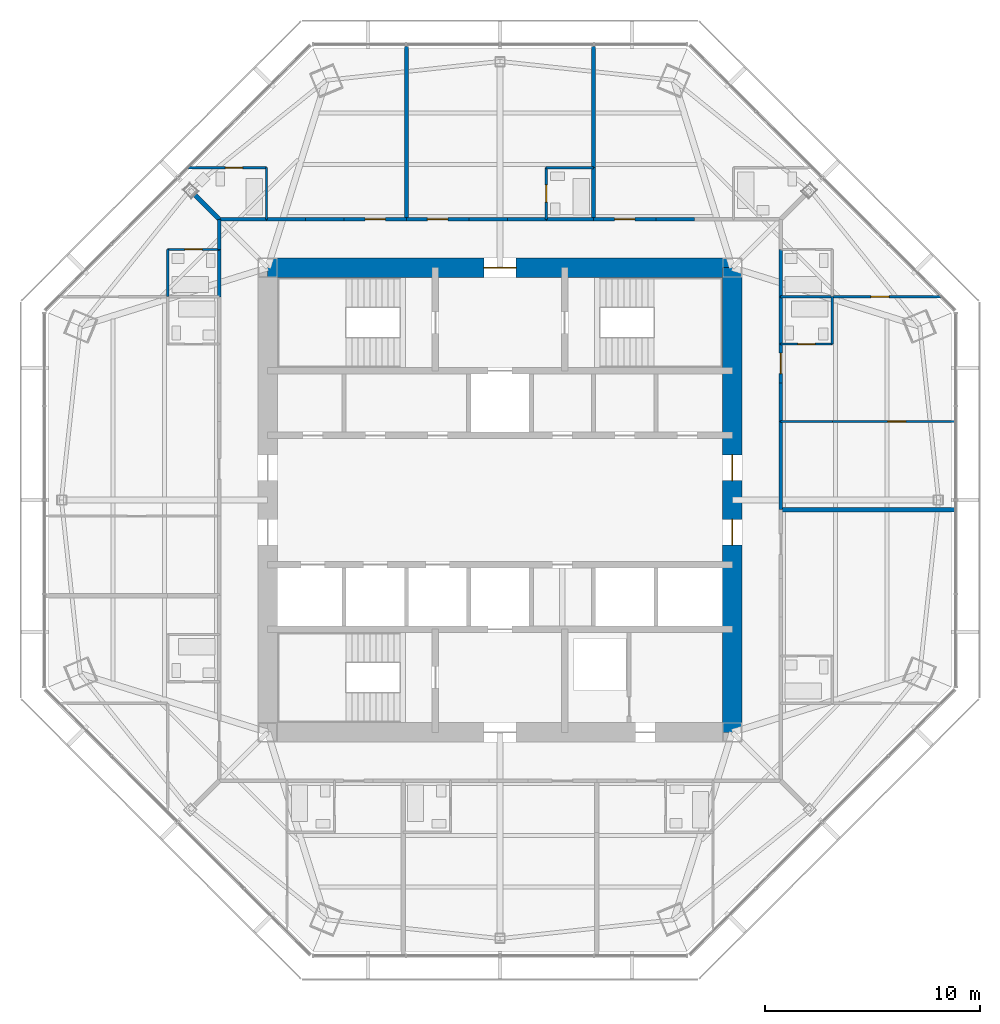
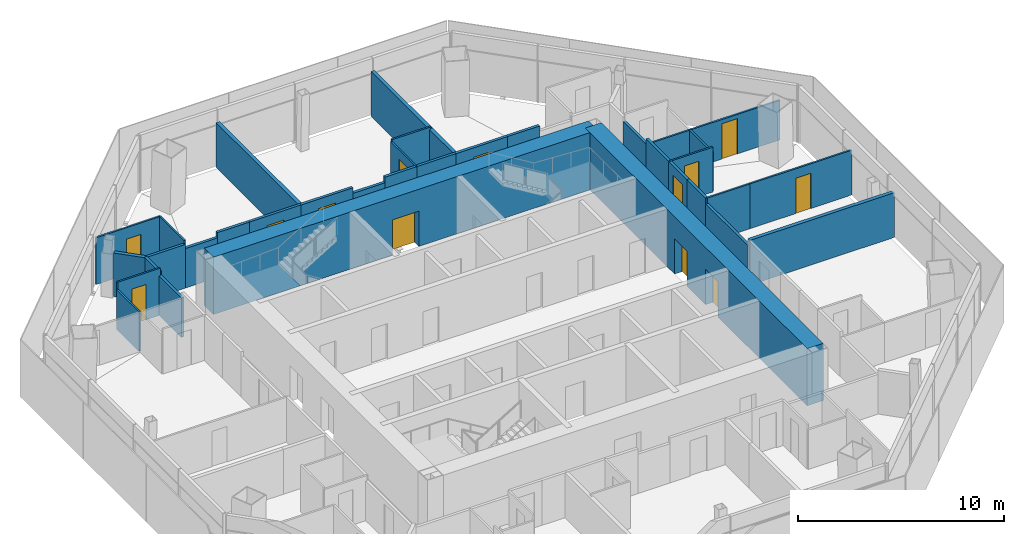
# One storey, part 11 of 14: 36 walls, 13 doors, 13 openings.
"""IFC4 building model written with IfcOpenShell, lengths in metres."""

from ifc_helpers import new_model, si_unit, direction, frame, frame_2d, origin, place, context, subcontext, project, spatial, rectangle, extrude, material, layer, layer_set, type_object, element, fill, save


model = new_model("IFC4")

# Units and contexts
model_context = context("Model", 3, precision=1e-05, world=origin(), true_north=direction((0.0, 1.0)))
body_context = subcontext(model_context, "Body", "Model", "MODEL_VIEW")
ifc_project = project(units=[si_unit("LENGTHUNIT", "METRE"), si_unit("AREAUNIT", "SQUARE_METRE"), si_unit("VOLUMEUNIT", "CUBIC_METRE"), si_unit("PLANEANGLEUNIT", "RADIAN"), si_unit("MASSUNIT", "GRAM", prefix="KILO")], contexts=[model_context])

# Site, building, storey
site_placement = place(None, origin())
site = spatial("IfcSite", under=ifc_project, at=site_placement, CompositionType="ELEMENT")
building_placement = place(site_placement, origin())
building = spatial("IfcBuilding", under=site, at=building_placement, Name="Mashrafa Tower", CompositionType="ELEMENT")
storey_placement = place(building_placement, frame((0.0, 0.0, 241.39990234375)))
storey = spatial("IfcBuildingStorey", under=building, at=storey_placement, Name="L57", CompositionType="ELEMENT", Elevation=241.39990234375)

# Walls
ifc_material_1 = material(Name="Gypsum board on steel studs", Category="steel")
ifc_layer_1 = layer(ifc_material_1, 0.199951171875)
ifc_layer_set_1 = layer_set([ifc_layer_1], Name="Acoustic partition 200 1 hr")
wall_type_1 = type_object("IfcWallType", Name="Acoustic partition 200 1 hr", PredefinedType="PARTITIONING", material=ifc_layer_set_1)
wall_1_placement = place(storey_placement, frame((21.16796875, -0.449951171875, 0.0), z_axis=(0.0, 0.0, 1.0), x_axis=(-1.0, 0.0, 0.0)))
element("IfcWall", 1, at=wall_1_placement, inside=storey, type_object=wall_type_1, Name="Acoustic wall L57-051", PredefinedType="PARTITIONING", context=body_context, shape_type="SweptSolid", body=[
    extrude(rectangle(XDim=8.117919921875, YDim=0.199951171875, at=frame_2d((4.05908203125, 0.0))), origin(), (0.0, 0.0, 1.0), 2.661865234375),
])
wall_2_placement = place(storey_placement, frame((4.35009765625, 15.450927734375, 0.0), z_axis=(0.0, 0.0, 1.0), x_axis=(0.0, -1.0, 0.0)))
element("IfcWall", 2, at=wall_2_placement, inside=storey, type_object=wall_type_1, Name="Acoustic wall L57-063", PredefinedType="PARTITIONING", context=body_context, shape_type="SweptSolid", body=[
    extrude(rectangle(XDim=2.40087890625, YDim=0.199951171875, at=frame_2d((1.200439453125, 0.0))), origin(), (0.0, 0.0, 1.0), 2.661865234375),
])
wall_3_placement = place(storey_placement, frame((4.35009765625, 21.0908203125, 0.0), z_axis=(0.0, 0.0, 1.0), x_axis=(0.0, -1.0, 0.0)))
element("IfcWall", 3, at=wall_3_placement, inside=storey, type_object=wall_type_1, Name="Acoustic wall L57-064", PredefinedType="PARTITIONING", context=body_context, shape_type="SweptSolid", body=[
    extrude(rectangle(XDim=5.641845703125, YDim=0.199951171875, at=frame_2d((2.82080078125, 0.0))), origin(), (0.0, 0.0, 1.0), 2.661865234375),
])
wall_4_placement = place(storey_placement, frame((-4.35009765625, 21.0908203125, 0.0), z_axis=(0.0, 0.0, 1.0), x_axis=(0.0, -1.0, 0.0)))
element("IfcWall", 4, at=wall_4_placement, inside=storey, type_object=wall_type_1, Name="Acoustic wall L57-067", PredefinedType="PARTITIONING", context=body_context, shape_type="SweptSolid", body=[
    extrude(rectangle(XDim=8.040771484375, YDim=0.199951171875, at=frame_2d((4.0205078125, 0.0))), origin(), (0.0, 0.0, 1.0), 2.661865234375),
])
wall_5_placement = place(storey_placement, frame((-14.17431640625, 14.17431640625, 0.0), z_axis=(0.0, 0.0, 1.0), x_axis=(0.707106781187, -0.707106781187, 0.0)))
element("IfcWall", 5, at=wall_5_placement, inside=storey, type_object=wall_type_1, Name="Acoustic wall L57-070", PredefinedType="PARTITIONING", context=body_context, shape_type="SweptSolid", body=[
    extrude(rectangle(XDim=1.58984375, YDim=0.199951171875, at=frame_2d((0.794921875, 0.0))), origin(), (0.0, 0.0, 1.0), 2.588134765625),
])

# Wall, openings, doors
ifc_material_2 = material(Name="Concrete C50/60", Category="concrete")
ifc_layer_2 = layer(ifc_material_2, 0.89990234375)
ifc_layer_set_2 = layer_set([ifc_layer_2], Name="Core wall 900 C50/60")
wall_type_2 = type_object("IfcWallType", Name="Core wall 900 C50/60", PredefinedType="SOLIDWALL", material=ifc_layer_set_2)
wall_6_placement = place(storey_placement, frame((10.800048828125, -10.800048828125, 0.0), z_axis=(0.0, 0.0, 1.0), x_axis=(0.0, 1.0, 0.0)))
wall_6 = element("IfcWall", 6, at=wall_6_placement, inside=storey, type_object=wall_type_2, Name="Core wall CW-E L57", PredefinedType="SOLIDWALL", context=body_context, shape_type="SweptSolid", body=[
    extrude(rectangle(XDim=21.60009765625, YDim=0.89990234375, at=frame_2d((10.800048828125, 0.0))), origin(), (0.0, 0.0, 1.0), 3.400146484375),
])
opening_1_placement = place(wall_6_placement, frame((11.699951171875, 0.0, 0.0)))
opening_1 = element("IfcOpeningElement", 7, at=opening_1_placement, cuts=wall_6, Name="Opening 57.031", PredefinedType="OPENING", context=body_context, shape_type="SweptSolid", body=[
    extrude(rectangle(XDim=1.199951171875, YDim=2.10009765625, at=frame_2d((0.60009765625, 1.050048828125))), frame((0.0, 0.4599609375, 0.0), z_axis=(0.0, -1.0, 0.0), x_axis=(1.0, 0.0, 0.0)), (0.0, 0.0, 1.0), 0.919921875),
])
opening_2_placement = place(wall_6_placement, frame((8.699951171875, 0.0, 0.0)))
opening_2 = element("IfcOpeningElement", 8, at=opening_2_placement, cuts=wall_6, Name="Opening 57.033", PredefinedType="OPENING", context=body_context, shape_type="SweptSolid", body=[
    extrude(rectangle(XDim=1.199951171875, YDim=2.10009765625, at=frame_2d((0.60009765625, 1.050048828125))), frame((0.0, 0.4599609375, 0.0), z_axis=(0.0, -1.0, 0.0), x_axis=(1.0, 0.0, 0.0)), (0.0, 0.0, 1.0), 0.919921875),
])
ifc_material_3 = material(Name="Steel door", Category="steel")
door_type_1 = type_object("IfcDoorType", Name="Lift hall door 1200 x 2100 90 min", OperationType="USERDEFINED", PredefinedType="DOOR", material=ifc_material_3)
door_1_placement = place(opening_1_placement, frame((1.199951171875, 0.0, 0.0), z_axis=(0.0, 0.0, 1.0), x_axis=(-1.0, 0.0, 0.0)))
door_1 = element("IfcDoor", 9, at=door_1_placement, inside=storey, type_object=door_type_1, Name="Lift hall door east L57", OperationType="SINGLE_SWING_LEFT", OverallHeight=2.10009765625, OverallWidth=1.199951171875, PredefinedType="DOOR", context=body_context, shape_type="SweptSolid", body=[
    extrude(rectangle(XDim=1.199951171875, YDim=2.10009765625, at=frame_2d((0.60009765625, 1.050048828125))), frame((0.0, 0.02490234375, 0.0), z_axis=(0.0, -1.0, 0.0), x_axis=(1.0, 0.0, 0.0)), (0.0, 0.0, 1.0), 0.050048828125),
])
fill(opening_1, door_1)
door_2_placement = place(opening_2_placement, frame((1.199951171875, 0.0, 0.0), z_axis=(0.0, 0.0, 1.0), x_axis=(-1.0, 0.0, 0.0)))
door_2 = element("IfcDoor", 10, at=door_2_placement, inside=storey, type_object=door_type_1, Name="Lift hall door east L57", OperationType="SINGLE_SWING_RIGHT", OverallHeight=2.10009765625, OverallWidth=1.199951171875, PredefinedType="DOOR", context=body_context, shape_type="SweptSolid", body=[
    extrude(rectangle(XDim=1.199951171875, YDim=2.10009765625, at=frame_2d((0.60009765625, 1.050048828125))), frame((0.0, 0.02490234375, 0.0), z_axis=(0.0, -1.0, 0.0), x_axis=(1.0, 0.0, 0.0)), (0.0, 0.0, 1.0), 0.050048828125),
])
fill(opening_2, door_2)

# Wall, opening, door
wall_7_placement = place(storey_placement, frame((10.800048828125, 10.800048828125, 0.0), z_axis=(0.0, 0.0, 1.0), x_axis=(-1.0, 0.0, 0.0)))
wall_7 = element("IfcWall", 11, at=wall_7_placement, inside=storey, type_object=wall_type_2, Name="Core wall CW-N L57", PredefinedType="SOLIDWALL", context=body_context, shape_type="SweptSolid", body=[
    extrude(rectangle(XDim=21.60009765625, YDim=0.89990234375, at=frame_2d((10.800048828125, 0.0))), origin(), (0.0, 0.0, 1.0), 3.400146484375),
])
opening_3_placement = place(wall_7_placement, frame((10.050048828125, 0.0, 0.0)))
opening_3 = element("IfcOpeningElement", 12, at=opening_3_placement, cuts=wall_7, Name="Opening 57.035", PredefinedType="OPENING", context=body_context, shape_type="SweptSolid", body=[
    extrude(rectangle(XDim=1.5, YDim=2.10009765625, at=frame_2d((0.75, 1.050048828125))), frame((0.0, 0.4599609375, 0.0), z_axis=(0.0, -1.0, 0.0), x_axis=(1.0, 0.0, 0.0)), (0.0, 0.0, 1.0), 0.919921875),
])
ifc_material_4 = material(Name="Steel door", Category="steel")
door_type_2 = type_object("IfcDoorType", Name="Lobby door pair 1500 x 2100 90 min", OperationType="DOUBLE_DOOR_SINGLE_SWING", PredefinedType="DOOR", material=ifc_material_4)
door_3_placement = place(opening_3_placement, origin())
door_3 = element("IfcDoor", 13, at=door_3_placement, inside=storey, type_object=door_type_2, Name="Fire-fighting lobby F1 door L57", OperationType="DOUBLE_DOOR_SINGLE_SWING", OverallHeight=2.10009765625, OverallWidth=1.5, PredefinedType="DOOR", context=body_context, shape_type="SweptSolid", body=[
    extrude(rectangle(XDim=1.5, YDim=2.10009765625, at=frame_2d((0.75, 1.050048828125))), frame((0.0, 0.02490234375, 0.0), z_axis=(0.0, -1.0, 0.0), x_axis=(1.0, 0.0, 0.0)), (0.0, 0.0, 1.0), 0.050048828125),
])
fill(opening_3, door_3)

# Walls
ifc_material_5 = material(Name="Gypsum board on steel studs", Category="steel")
ifc_layer_3 = layer(ifc_material_5, 0.14990234375)
ifc_layer_set_3 = layer_set([ifc_layer_3], Name="Corridor partition 150 1 hr")
wall_type_3 = type_object("IfcWallType", Name="Corridor partition 150 1 hr", PredefinedType="PARTITIONING", material=ifc_layer_set_3)
wall_8_placement = place(storey_placement, frame((13.050048828125, 9.448974609375, 0.0), z_axis=(0.0, 0.0, 1.0), x_axis=(0.0, 1.0, 0.0)))
element("IfcWall", 14, at=wall_8_placement, inside=storey, type_object=wall_type_3, Name="Corridor wall L57-006", PredefinedType="PARTITIONING", context=body_context, shape_type="SweptSolid", body=[
    extrude(rectangle(XDim=2.201904296875, YDim=0.14990234375, at=frame_2d((1.10107421875, 0.0))), origin(), (0.0, 0.0, 1.0), 2.349365234375),
])
wall_9_placement = place(storey_placement, frame((13.050048828125, 7.2490234375, 0.0), z_axis=(0.0, 0.0, 1.0), x_axis=(0.0, 1.0, 0.0)))
element("IfcWall", 15, at=wall_9_placement, inside=storey, type_object=wall_type_3, Name="Corridor wall L57-008", PredefinedType="PARTITIONING", context=body_context, shape_type="SweptSolid", body=[
    extrude(rectangle(XDim=2.201904296875, YDim=0.14990234375, at=frame_2d((1.10107421875, 0.0))), origin(), (0.0, 0.0, 1.0), 2.661865234375),
])
wall_10_placement = place(storey_placement, frame((13.050048828125, 3.64892578125, 0.0), z_axis=(0.0, 0.0, 1.0), x_axis=(0.0, 1.0, 0.0)))
element("IfcWall", 16, at=wall_10_placement, inside=storey, type_object=wall_type_3, Name="Corridor wall L57-009", PredefinedType="PARTITIONING", context=body_context, shape_type="SweptSolid", body=[
    extrude(rectangle(XDim=1.802001953125, YDim=0.14990234375, at=frame_2d((0.90087890625, 0.0))), origin(), (0.0, 0.0, 1.0), 2.661865234375),
])
wall_11_placement = place(storey_placement, frame((13.050048828125, -0.450927734375, 0.0), z_axis=(0.0, 0.0, 1.0), x_axis=(0.0, 1.0, 0.0)))
element("IfcWall", 17, at=wall_11_placement, inside=storey, type_object=wall_type_3, Name="Corridor wall L57-010", PredefinedType="PARTITIONING", context=body_context, shape_type="SweptSolid", body=[
    extrude(rectangle(XDim=4.101806640625, YDim=0.14990234375, at=frame_2d((2.05078125, 0.0))), origin(), (0.0, 0.0, 1.0), 2.33154296875),
])

# Wall, opening, door
wall_12_placement = place(storey_placement, frame((13.050048828125, 5.448974609375, 0.0), z_axis=(0.0, 0.0, 1.0), x_axis=(0.0, 1.0, 0.0)))
wall_12 = element("IfcWall", 18, at=wall_12_placement, inside=storey, type_object=wall_type_3, Name="Corridor wall L57-011", PredefinedType="PARTITIONING", context=body_context, shape_type="SweptSolid", body=[
    extrude(rectangle(XDim=1.802001953125, YDim=0.14990234375, at=frame_2d((0.90087890625, 0.0))), origin(), (0.0, 0.0, 1.0), 2.661865234375),
])
opening_4_placement = place(wall_12_placement, frame((0.426025390625, 0.0, 0.0)))
opening_4 = element("IfcOpeningElement", 19, at=opening_4_placement, cuts=wall_12, Name="Opening 57.008", PredefinedType="OPENING", context=body_context, shape_type="SweptSolid", body=[
    extrude(rectangle(XDim=0.949951171875, YDim=2.10009765625, at=frame_2d((0.47509765625, 1.050048828125))), frame((0.0, 0.0849609375, 0.0), z_axis=(0.0, -1.0, 0.0), x_axis=(1.0, 0.0, 0.0)), (0.0, 0.0, 1.0), 0.169921875),
])
ifc_material_6 = material(Name="Steel door", Category="steel")
door_type_3 = type_object("IfcDoorType", Name="Residence entrance door 950 x 2100 20 min", OperationType="USERDEFINED", PredefinedType="DOOR", material=ifc_material_6)
door_4_placement = place(opening_4_placement, frame((0.949951171875, 0.0, 0.0), z_axis=(0.0, 0.0, 1.0), x_axis=(-1.0, 0.0, 0.0)))
door_4 = element("IfcDoor", 20, at=door_4_placement, inside=storey, type_object=door_type_3, Name="Apartment 5702 Living Room door", OperationType="SINGLE_SWING_RIGHT", OverallHeight=2.10009765625, OverallWidth=0.949951171875, PredefinedType="DOOR", context=body_context, shape_type="SweptSolid", body=[
    extrude(rectangle(XDim=0.949951171875, YDim=2.10009765625, at=frame_2d((0.47509765625, 1.050048828125))), frame((0.0, 0.02490234375, 0.0), z_axis=(0.0, -1.0, 0.0), x_axis=(1.0, 0.0, 0.0)), (0.0, 0.0, 1.0), 0.050048828125),
])
fill(opening_4, door_4)

# Wall
wall_13_placement = place(storey_placement, frame((9.051025390625, 13.050048828125, 0.0), z_axis=(0.0, 0.0, 1.0), x_axis=(-1.0, 0.0, 0.0)))
element("IfcWall", 21, at=wall_13_placement, inside=storey, type_object=wall_type_3, Name="Corridor wall L57-013", PredefinedType="PARTITIONING", context=body_context, shape_type="SweptSolid", body=[
    extrude(rectangle(XDim=1.802001953125, YDim=0.14990234375, at=frame_2d((0.90087890625, 0.0))), origin(), (0.0, 0.0, 1.0), 2.661865234375),
])

# Wall, opening, door
wall_14_placement = place(storey_placement, frame((7.2509765625, 13.050048828125, 0.0), z_axis=(0.0, 0.0, 1.0), x_axis=(-1.0, 0.0, 0.0)))
wall_14 = element("IfcWall", 22, at=wall_14_placement, inside=storey, type_object=wall_type_3, Name="Corridor wall L57-014", PredefinedType="PARTITIONING", context=body_context, shape_type="SweptSolid", body=[
    extrude(rectangle(XDim=2.90185546875, YDim=0.14990234375, at=frame_2d((1.450927734375, 0.0))), origin(), (0.0, 0.0, 1.0), 2.661865234375),
])
opening_5_placement = place(wall_14_placement, frame((0.97607421875, 0.0, 0.0)))
opening_5 = element("IfcOpeningElement", 23, at=opening_5_placement, cuts=wall_14, Name="Opening 57.010", PredefinedType="OPENING", context=body_context, shape_type="SweptSolid", body=[
    extrude(rectangle(XDim=0.949951171875, YDim=2.10009765625, at=frame_2d((0.47509765625, 1.050048828125))), frame((0.0, 0.0849609375, 0.0), z_axis=(0.0, -1.0, 0.0), x_axis=(1.0, 0.0, 0.0)), (0.0, 0.0, 1.0), 0.169921875),
])
door_5_placement = place(opening_5_placement, frame((0.949951171875, 0.0, 0.0), z_axis=(0.0, 0.0, 1.0), x_axis=(-1.0, 0.0, 0.0)))
door_5 = element("IfcDoor", 24, at=door_5_placement, inside=storey, type_object=door_type_3, Name="Apartment 5703 Studio Living Room door", OperationType="SINGLE_SWING_LEFT", OverallHeight=2.10009765625, OverallWidth=0.949951171875, PredefinedType="DOOR", context=body_context, shape_type="SweptSolid", body=[
    extrude(rectangle(XDim=0.949951171875, YDim=2.10009765625, at=frame_2d((0.47509765625, 1.050048828125))), frame((0.0, 0.02490234375, 0.0), z_axis=(0.0, -1.0, 0.0), x_axis=(1.0, 0.0, 0.0)), (0.0, 0.0, 1.0), 0.050048828125),
])
fill(opening_5, door_5)

# Walls
wall_15_placement = place(storey_placement, frame((4.35107421875, 13.050048828125, 0.0), z_axis=(0.0, 0.0, 1.0), x_axis=(-1.0, 0.0, 0.0)))
element("IfcWall", 25, at=wall_15_placement, inside=storey, type_object=wall_type_3, Name="Corridor wall L57-016", PredefinedType="PARTITIONING", context=body_context, shape_type="SweptSolid", body=[
    extrude(rectangle(XDim=2.2021484375, YDim=0.14990234375, at=frame_2d((1.10107421875, 0.0))), origin(), (0.0, 0.0, 1.0), 2.661865234375),
])
wall_16_placement = place(storey_placement, frame((0.35107421875, 13.050048828125, 0.0), z_axis=(0.0, 0.0, 1.0), x_axis=(-1.0, 0.0, 0.0)))
element("IfcWall", 26, at=wall_16_placement, inside=storey, type_object=wall_type_3, Name="Corridor wall L57-017", PredefinedType="PARTITIONING", context=body_context, shape_type="SweptSolid", body=[
    extrude(rectangle(XDim=1.802001953125, YDim=0.14990234375, at=frame_2d((0.90087890625, 0.0))), origin(), (0.0, 0.0, 1.0), 2.33154296875),
])

# Wall, opening, door
wall_17_placement = place(storey_placement, frame((-1.448974609375, 13.050048828125, 0.0), z_axis=(0.0, 0.0, 1.0), x_axis=(-1.0, 0.0, 0.0)))
wall_17 = element("IfcWall", 27, at=wall_17_placement, inside=storey, type_object=wall_type_3, Name="Corridor wall L57-018", PredefinedType="PARTITIONING", context=body_context, shape_type="SweptSolid", body=[
    extrude(rectangle(XDim=2.902099609375, YDim=0.14990234375, at=frame_2d((1.451171875, 0.0))), origin(), (0.0, 0.0, 1.0), 2.661865234375),
])
opening_6_placement = place(wall_17_placement, frame((0.97607421875, 0.0, 0.0)))
opening_6 = element("IfcOpeningElement", 28, at=opening_6_placement, cuts=wall_17, Name="Opening 57.012", PredefinedType="OPENING", context=body_context, shape_type="SweptSolid", body=[
    extrude(rectangle(XDim=0.949951171875, YDim=2.10009765625, at=frame_2d((0.47509765625, 1.050048828125))), frame((0.0, 0.0849609375, 0.0), z_axis=(0.0, -1.0, 0.0), x_axis=(1.0, 0.0, 0.0)), (0.0, 0.0, 1.0), 0.169921875),
])
door_6_placement = place(opening_6_placement, frame((0.949951171875, 0.0, 0.0), z_axis=(0.0, 0.0, 1.0), x_axis=(-1.0, 0.0, 0.0)))
door_6 = element("IfcDoor", 29, at=door_6_placement, inside=storey, type_object=door_type_3, Name="Apartment 5704 Studio Living Room door", OperationType="SINGLE_SWING_LEFT", OverallHeight=2.10009765625, OverallWidth=0.949951171875, PredefinedType="DOOR", context=body_context, shape_type="SweptSolid", body=[
    extrude(rectangle(XDim=0.949951171875, YDim=2.10009765625, at=frame_2d((0.47509765625, 1.050048828125))), frame((0.0, 0.02490234375, 0.0), z_axis=(0.0, -1.0, 0.0), x_axis=(1.0, 0.0, 0.0)), (0.0, 0.0, 1.0), 0.050048828125),
])
fill(opening_6, door_6)

# Walls
wall_18_placement = place(storey_placement, frame((2.15087890625, 13.050048828125, 0.0), z_axis=(0.0, 0.0, 1.0), x_axis=(-1.0, 0.0, 0.0)))
element("IfcWall", 30, at=wall_18_placement, inside=storey, type_object=wall_type_3, Name="Corridor wall L57-019", PredefinedType="PARTITIONING", context=body_context, shape_type="SweptSolid", body=[
    extrude(rectangle(XDim=1.8017578125, YDim=0.14990234375, at=frame_2d((0.90087890625, 0.0))), origin(), (0.0, 0.0, 1.0), 2.661865234375),
])
wall_19_placement = place(storey_placement, frame((-10.84912109375, 13.050048828125, 0.0), z_axis=(0.0, 0.0, 1.0), x_axis=(-1.0, 0.0, 0.0)))
element("IfcWall", 31, at=wall_19_placement, inside=storey, type_object=wall_type_3, Name="Corridor wall L57-020", PredefinedType="PARTITIONING", context=body_context, shape_type="SweptSolid", body=[
    extrude(rectangle(XDim=2.200927734375, YDim=0.14990234375, at=frame_2d((1.1005859375, 0.0))), origin(), (0.0, 0.0, 1.0), 2.588134765625),
])
wall_20_placement = place(storey_placement, frame((-7.2490234375, 13.050048828125, 0.0), z_axis=(0.0, 0.0, 1.0), x_axis=(-1.0, 0.0, 0.0)))
element("IfcWall", 32, at=wall_20_placement, inside=storey, type_object=wall_type_3, Name="Corridor wall L57-021", PredefinedType="PARTITIONING", context=body_context, shape_type="SweptSolid", body=[
    extrude(rectangle(XDim=1.802001953125, YDim=0.14990234375, at=frame_2d((0.90087890625, 0.0))), origin(), (0.0, 0.0, 1.0), 2.661865234375),
])
wall_21_placement = place(storey_placement, frame((-9.049072265625, 13.050048828125, 0.0), z_axis=(0.0, 0.0, 1.0), x_axis=(-1.0, 0.0, 0.0)))
element("IfcWall", 33, at=wall_21_placement, inside=storey, type_object=wall_type_3, Name="Corridor wall L57-022", PredefinedType="PARTITIONING", context=body_context, shape_type="SweptSolid", body=[
    extrude(rectangle(XDim=1.802001953125, YDim=0.14990234375, at=frame_2d((0.90087890625, 0.0))), origin(), (0.0, 0.0, 1.0), 2.349365234375),
])

# Wall, opening, door
wall_22_placement = place(storey_placement, frame((-4.34912109375, 13.050048828125, 0.0), z_axis=(0.0, 0.0, 1.0), x_axis=(-1.0, 0.0, 0.0)))
wall_22 = element("IfcWall", 34, at=wall_22_placement, inside=storey, type_object=wall_type_3, Name="Corridor wall L57-023", PredefinedType="PARTITIONING", context=body_context, shape_type="SweptSolid", body=[
    extrude(rectangle(XDim=2.90185546875, YDim=0.14990234375, at=frame_2d((1.450927734375, 0.0))), origin(), (0.0, 0.0, 1.0), 2.661865234375),
])
opening_7_placement = place(wall_22_placement, frame((0.97607421875, 0.0, 0.0)))
opening_7 = element("IfcOpeningElement", 35, at=opening_7_placement, cuts=wall_22, Name="Opening 57.014", PredefinedType="OPENING", context=body_context, shape_type="SweptSolid", body=[
    extrude(rectangle(XDim=0.949951171875, YDim=2.10009765625, at=frame_2d((0.47509765625, 1.050048828125))), frame((0.0, 0.0849609375, 0.0), z_axis=(0.0, -1.0, 0.0), x_axis=(1.0, 0.0, 0.0)), (0.0, 0.0, 1.0), 0.169921875),
])
door_7_placement = place(opening_7_placement, frame((0.949951171875, 0.0, 0.0), z_axis=(0.0, 0.0, 1.0), x_axis=(-1.0, 0.0, 0.0)))
door_7 = element("IfcDoor", 36, at=door_7_placement, inside=storey, type_object=door_type_3, Name="Apartment 5705 Studio Living Room door", OperationType="SINGLE_SWING_RIGHT", OverallHeight=2.10009765625, OverallWidth=0.949951171875, PredefinedType="DOOR", context=body_context, shape_type="SweptSolid", body=[
    extrude(rectangle(XDim=0.949951171875, YDim=2.10009765625, at=frame_2d((0.47509765625, 1.050048828125))), frame((0.0, 0.02490234375, 0.0), z_axis=(0.0, -1.0, 0.0), x_axis=(1.0, 0.0, 0.0)), (0.0, 0.0, 1.0), 0.050048828125),
])
fill(opening_7, door_7)

# Walls
wall_23_placement = place(storey_placement, frame((-13.050048828125, 11.65087890625, 0.0), z_axis=(0.0, 0.0, 1.0), x_axis=(0.0, -1.0, 0.0)))
element("IfcWall", 37, at=wall_23_placement, inside=storey, type_object=wall_type_3, Name="Corridor wall L57-024", PredefinedType="PARTITIONING", context=body_context, shape_type="SweptSolid", body=[
    extrude(rectangle(XDim=2.201904296875, YDim=0.14990234375, at=frame_2d((1.10107421875, 0.0))), origin(), (0.0, 0.0, 1.0), 2.349365234375),
])
wall_24_placement = place(storey_placement, frame((-13.050048828125, 13.050048828125, 0.0), z_axis=(0.0, 0.0, 1.0), x_axis=(0.0, -1.0, 0.0)))
element("IfcWall", 38, at=wall_24_placement, inside=storey, type_object=wall_type_3, Name="Corridor wall L57-025", PredefinedType="PARTITIONING", context=body_context, shape_type="SweptSolid", body=[
    extrude(rectangle(XDim=1.401123046875, YDim=0.14990234375, at=frame_2d((0.70068359375, 0.0))), origin(), (0.0, 0.0, 1.0), 2.588134765625),
])
ifc_material_7 = material(Name="Gypsum board on steel studs", Category="steel")
ifc_layer_4 = layer(ifc_material_7, 0.10009765625)
ifc_layer_set_4 = layer_set([ifc_layer_4], Name="Partition 100")
wall_type_4 = type_object("IfcWallType", Name="Partition 100", PredefinedType="PARTITIONING", material=ifc_layer_set_4)
wall_25_placement = place(storey_placement, frame((13.050048828125, 9.449951171875, 0.0), z_axis=(0.0, 0.0, 1.0), x_axis=(1.0, 0.0, 0.0)))
element("IfcWall", 39, at=wall_25_placement, inside=storey, type_object=wall_type_4, Name="Partition wall L57-054", PredefinedType="PARTITIONING", context=body_context, shape_type="SweptSolid", body=[
    extrude(rectangle(XDim=2.39990234375, YDim=0.10009765625, at=frame_2d((1.199951171875, 0.0))), origin(), (0.0, 0.0, 1.0), 2.349365234375),
])

# Wall, opening, door
wall_26_placement = place(storey_placement, frame((15.449951171875, 9.449951171875, 0.0), z_axis=(0.0, 0.0, 1.0), x_axis=(1.0, 0.0, 0.0)))
wall_26 = element("IfcWall", 40, at=wall_26_placement, inside=storey, type_object=wall_type_4, Name="Partition wall L57-055", PredefinedType="PARTITIONING", context=body_context, shape_type="SweptSolid", body=[
    extrude(rectangle(XDim=5.03955078125, YDim=0.10009765625, at=frame_2d((2.519775390625, 0.0))), origin(), (0.0, 0.0, 1.0), 2.349365234375),
])
opening_8_placement = place(wall_26_placement, frame((1.78759765625, 0.0, 0.0)))
opening_8 = element("IfcOpeningElement", 41, at=opening_8_placement, cuts=wall_26, Name="Opening 57.005", PredefinedType="OPENING", context=body_context, shape_type="SweptSolid", body=[
    extrude(rectangle(XDim=0.85009765625, YDim=2.10009765625, at=frame_2d((0.425048828125, 1.050048828125))), frame((0.0, 0.06005859375, 0.0), z_axis=(0.0, -1.0, 0.0), x_axis=(1.0, 0.0, 0.0)), (0.0, 0.0, 1.0), 0.1201171875),
])
ifc_material_8 = material(Name="Timber door", Category="wood")
door_type_4 = type_object("IfcDoorType", Name="Bedroom door 850 x 2100", OperationType="USERDEFINED", PredefinedType="DOOR", material=ifc_material_8)
door_8_placement = place(opening_8_placement, origin())
door_8 = element("IfcDoor", 42, at=door_8_placement, inside=storey, type_object=door_type_4, Name="Apartment 5702 Bedroom 1 door", OperationType="SINGLE_SWING_RIGHT", OverallHeight=2.10009765625, OverallWidth=0.85009765625, PredefinedType="DOOR", context=body_context, shape_type="SweptSolid", body=[
    extrude(rectangle(XDim=0.85009765625, YDim=2.10009765625, at=frame_2d((0.425048828125, 1.050048828125))), frame((0.0, 0.02490234375, 0.0), z_axis=(0.0, -1.0, 0.0), x_axis=(1.0, 0.0, 0.0)), (0.0, 0.0, 1.0), 0.050048828125),
])
fill(opening_8, door_8)

wall_27_placement = place(storey_placement, frame((13.050048828125, 7.25, 0.0), z_axis=(0.0, 0.0, 1.0), x_axis=(1.0, 0.0, 0.0)))
wall_27 = element("IfcWall", 43, at=wall_27_placement, inside=storey, type_object=wall_type_4, Name="Partition wall L57-057", PredefinedType="PARTITIONING", context=body_context, shape_type="SweptSolid", body=[
    extrude(rectangle(XDim=2.39990234375, YDim=0.10009765625, at=frame_2d((1.199951171875, 0.0))), origin(), (0.0, 0.0, 1.0), 2.661865234375),
])
opening_9_placement = place(wall_27_placement, frame((0.800048828125, 0.0, 0.0)))
opening_9 = element("IfcOpeningElement", 44, at=opening_9_placement, cuts=wall_27, Name="Opening 57.006", PredefinedType="OPENING", context=body_context, shape_type="SweptSolid", body=[
    extrude(rectangle(XDim=0.800048828125, YDim=2.10009765625, at=frame_2d((0.39990234375, 1.050048828125))), frame((0.0, 0.06005859375, 0.0), z_axis=(0.0, -1.0, 0.0), x_axis=(1.0, 0.0, 0.0)), (0.0, 0.0, 1.0), 0.1201171875),
])
ifc_material_9 = material(Name="Timber door", Category="wood")
door_type_5 = type_object("IfcDoorType", Name="Bathroom door 800 x 2100", OperationType="USERDEFINED", PredefinedType="DOOR", material=ifc_material_9)
door_9_placement = place(opening_9_placement, origin())
door_9 = element("IfcDoor", 45, at=door_9_placement, inside=storey, type_object=door_type_5, Name="Apartment 5702 Bathroom door", OperationType="SINGLE_SWING_LEFT", OverallHeight=2.10009765625, OverallWidth=0.800048828125, PredefinedType="DOOR", context=body_context, shape_type="SweptSolid", body=[
    extrude(rectangle(XDim=0.800048828125, YDim=2.10009765625, at=frame_2d((0.39990234375, 1.050048828125))), frame((0.0, 0.02490234375, 0.0), z_axis=(0.0, -1.0, 0.0), x_axis=(1.0, 0.0, 0.0)), (0.0, 0.0, 1.0), 0.050048828125),
])
fill(opening_9, door_9)

# Walls
wall_28_placement = place(storey_placement, frame((15.449951171875, 7.25, 0.0), z_axis=(0.0, 0.0, 1.0), x_axis=(0.0, 1.0, 0.0)))
element("IfcWall", 46, at=wall_28_placement, inside=storey, type_object=wall_type_4, Name="Partition wall L57-058", PredefinedType="PARTITIONING", context=body_context, shape_type="SweptSolid", body=[
    extrude(rectangle(XDim=2.199951171875, YDim=0.10009765625, at=frame_2d((1.10009765625, 0.0))), origin(), (0.0, 0.0, 1.0), 2.349365234375),
])
wall_29_placement = place(storey_placement, frame((13.050048828125, 3.64990234375, 0.0), z_axis=(0.0, 0.0, 1.0), x_axis=(1.0, 0.0, 0.0)))
element("IfcWall", 47, at=wall_29_placement, inside=storey, type_object=wall_type_4, Name="Partition wall L57-059", PredefinedType="PARTITIONING", context=body_context, shape_type="SweptSolid", body=[
    extrude(rectangle(XDim=2.39990234375, YDim=0.10009765625, at=frame_2d((1.199951171875, 0.0))), origin(), (0.0, 0.0, 1.0), 2.661865234375),
])

# Wall, opening, door
wall_30_placement = place(storey_placement, frame((21.169921875, 3.64990234375, 0.0), z_axis=(0.0, 0.0, 1.0), x_axis=(-1.0, 0.0, 0.0)))
wall_30 = element("IfcWall", 48, at=wall_30_placement, inside=storey, type_object=wall_type_4, Name="Partition wall L57-060", PredefinedType="PARTITIONING", context=body_context, shape_type="SweptSolid", body=[
    extrude(rectangle(XDim=5.720947265625, YDim=0.10009765625, at=frame_2d((2.8603515625, 0.0))), origin(), (0.0, 0.0, 1.0), 2.661865234375),
])
opening_10_placement = place(wall_30_placement, frame((2.29736328125, 0.0, 0.0)))
opening_10 = element("IfcOpeningElement", 49, at=opening_10_placement, cuts=wall_30, Name="Opening 57.007", PredefinedType="OPENING", context=body_context, shape_type="SweptSolid", body=[
    extrude(rectangle(XDim=0.85009765625, YDim=2.10009765625, at=frame_2d((0.425048828125, 1.050048828125))), frame((0.0, 0.06005859375, 0.0), z_axis=(0.0, -1.0, 0.0), x_axis=(1.0, 0.0, 0.0)), (0.0, 0.0, 1.0), 0.1201171875),
])
door_10_placement = place(opening_10_placement, origin())
door_10 = element("IfcDoor", 50, at=door_10_placement, inside=storey, type_object=door_type_4, Name="Apartment 5702 Bedroom 2 door", OperationType="SINGLE_SWING_LEFT", OverallHeight=2.10009765625, OverallWidth=0.85009765625, PredefinedType="DOOR", context=body_context, shape_type="SweptSolid", body=[
    extrude(rectangle(XDim=0.85009765625, YDim=2.10009765625, at=frame_2d((0.425048828125, 1.050048828125))), frame((0.0, 0.02490234375, 0.0), z_axis=(0.0, -1.0, 0.0), x_axis=(1.0, 0.0, 0.0)), (0.0, 0.0, 1.0), 0.050048828125),
])
fill(opening_10, door_10)

# Wall
wall_31_placement = place(storey_placement, frame((4.35009765625, 15.449951171875, 0.0), z_axis=(0.0, 0.0, 1.0), x_axis=(-1.0, 0.0, 0.0)))
element("IfcWall", 51, at=wall_31_placement, inside=storey, type_object=wall_type_4, Name="Partition wall L57-065", PredefinedType="PARTITIONING", context=body_context, shape_type="SweptSolid", body=[
    extrude(rectangle(XDim=2.2001953125, YDim=0.10009765625, at=frame_2d((1.10009765625, 0.0))), origin(), (0.0, 0.0, 1.0), 2.78369140625),
])

# Wall, opening, door
wall_32_placement = place(storey_placement, frame((2.14990234375, 15.449951171875, 0.0), z_axis=(0.0, 0.0, 1.0), x_axis=(0.0, -1.0, 0.0)))
wall_32 = element("IfcWall", 52, at=wall_32_placement, inside=storey, type_object=wall_type_4, Name="Partition wall L57-066", PredefinedType="PARTITIONING", context=body_context, shape_type="SweptSolid", body=[
    extrude(rectangle(XDim=2.39990234375, YDim=0.10009765625, at=frame_2d((1.199951171875, 0.0))), origin(), (0.0, 0.0, 1.0), 2.661865234375),
])
opening_11_placement = place(wall_32_placement, frame((0.800048828125, 0.0, 0.0)))
opening_11 = element("IfcOpeningElement", 53, at=opening_11_placement, cuts=wall_32, Name="Opening 57.011", PredefinedType="OPENING", context=body_context, shape_type="SweptSolid", body=[
    extrude(rectangle(XDim=0.800048828125, YDim=2.10009765625, at=frame_2d((0.39990234375, 1.050048828125))), frame((0.0, 0.06005859375, 0.0), z_axis=(0.0, -1.0, 0.0), x_axis=(1.0, 0.0, 0.0)), (0.0, 0.0, 1.0), 0.1201171875),
])
door_11_placement = place(opening_11_placement, origin())
door_11 = element("IfcDoor", 54, at=door_11_placement, inside=storey, type_object=door_type_5, Name="Apartment 5704 Bathroom door", OperationType="SINGLE_SWING_RIGHT", OverallHeight=2.10009765625, OverallWidth=0.800048828125, PredefinedType="DOOR", context=body_context, shape_type="SweptSolid", body=[
    extrude(rectangle(XDim=0.800048828125, YDim=2.10009765625, at=frame_2d((0.39990234375, 1.050048828125))), frame((0.0, 0.02490234375, 0.0), z_axis=(0.0, -1.0, 0.0), x_axis=(1.0, 0.0, 0.0)), (0.0, 0.0, 1.0), 0.050048828125),
])
fill(opening_11, door_11)

# Wall
wall_33_placement = place(storey_placement, frame((-10.85009765625, 13.050048828125, 0.0), z_axis=(0.0, 0.0, 1.0), x_axis=(0.0, 1.0, 0.0)))
element("IfcWall", 55, at=wall_33_placement, inside=storey, type_object=wall_type_4, Name="Partition wall L57-068", PredefinedType="PARTITIONING", context=body_context, shape_type="SweptSolid", body=[
    extrude(rectangle(XDim=2.39990234375, YDim=0.10009765625, at=frame_2d((1.199951171875, 0.0))), origin(), (0.0, 0.0, 1.0), 2.7861328125),
])

# Wall, opening, door
wall_34_placement = place(storey_placement, frame((-10.85009765625, 15.449951171875, 0.0), z_axis=(0.0, 0.0, 1.0), x_axis=(-1.0, 0.0, 0.0)))
wall_34 = element("IfcWall", 56, at=wall_34_placement, inside=storey, type_object=wall_type_4, Name="Partition wall L57-069", PredefinedType="PARTITIONING", context=body_context, shape_type="SweptSolid", body=[
    extrude(rectangle(XDim=3.639404296875, YDim=0.10009765625, at=frame_2d((1.81982421875, 0.0))), origin(), (0.0, 0.0, 1.0), 2.78369140625),
])
opening_12_placement = place(wall_34_placement, frame((1.112548828125, 0.0, 0.0)))
opening_12 = element("IfcOpeningElement", 57, at=opening_12_placement, cuts=wall_34, Name="Opening 57.013", PredefinedType="OPENING", context=body_context, shape_type="SweptSolid", body=[
    extrude(rectangle(XDim=0.800048828125, YDim=2.10009765625, at=frame_2d((0.39990234375, 1.050048828125))), frame((0.0, 0.06005859375, 0.0), z_axis=(0.0, -1.0, 0.0), x_axis=(1.0, 0.0, 0.0)), (0.0, 0.0, 1.0), 0.1201171875),
])
door_12_placement = place(opening_12_placement, origin())
door_12 = element("IfcDoor", 58, at=door_12_placement, inside=storey, type_object=door_type_5, Name="Apartment 5705 Bathroom door", OperationType="SINGLE_SWING_LEFT", OverallHeight=2.10009765625, OverallWidth=0.800048828125, PredefinedType="DOOR", context=body_context, shape_type="SweptSolid", body=[
    extrude(rectangle(XDim=0.800048828125, YDim=2.10009765625, at=frame_2d((0.39990234375, 1.050048828125))), frame((0.0, 0.02490234375, 0.0), z_axis=(0.0, -1.0, 0.0), x_axis=(1.0, 0.0, 0.0)), (0.0, 0.0, 1.0), 0.050048828125),
])
fill(opening_12, door_12)

wall_35_placement = place(storey_placement, frame((-13.050048828125, 11.64990234375, 0.0), z_axis=(0.0, 0.0, 1.0), x_axis=(-1.0, 0.0, 0.0)))
wall_35 = element("IfcWall", 59, at=wall_35_placement, inside=storey, type_object=wall_type_4, Name="Partition wall L57-071", PredefinedType="PARTITIONING", context=body_context, shape_type="SweptSolid", body=[
    extrude(rectangle(XDim=2.39990234375, YDim=0.10009765625, at=frame_2d((1.199951171875, 0.0))), origin(), (0.0, 0.0, 1.0), 2.7861328125),
])
opening_13_placement = place(wall_35_placement, frame((0.800048828125, 0.0, 0.0)))
opening_13 = element("IfcOpeningElement", 60, at=opening_13_placement, cuts=wall_35, Name="Opening 57.015", PredefinedType="OPENING", context=body_context, shape_type="SweptSolid", body=[
    extrude(rectangle(XDim=0.800048828125, YDim=2.10009765625, at=frame_2d((0.39990234375, 1.050048828125))), frame((0.0, 0.06005859375, 0.0), z_axis=(0.0, -1.0, 0.0), x_axis=(1.0, 0.0, 0.0)), (0.0, 0.0, 1.0), 0.1201171875),
])
door_13_placement = place(opening_13_placement, origin())
door_13 = element("IfcDoor", 61, at=door_13_placement, inside=storey, type_object=door_type_5, Name="Apartment 5706 En-suite Bathroom door", OperationType="SINGLE_SWING_RIGHT", OverallHeight=2.10009765625, OverallWidth=0.800048828125, PredefinedType="DOOR", context=body_context, shape_type="SweptSolid", body=[
    extrude(rectangle(XDim=0.800048828125, YDim=2.10009765625, at=frame_2d((0.39990234375, 1.050048828125))), frame((0.0, 0.02490234375, 0.0), z_axis=(0.0, -1.0, 0.0), x_axis=(1.0, 0.0, 0.0)), (0.0, 0.0, 1.0), 0.050048828125),
])
fill(opening_13, door_13)

# Wall
wall_36_placement = place(storey_placement, frame((-15.449951171875, 11.64990234375, 0.0), z_axis=(0.0, 0.0, 1.0), x_axis=(0.0, -1.0, 0.0)))
element("IfcWall", 62, at=wall_36_placement, inside=storey, type_object=wall_type_4, Name="Partition wall L57-072", PredefinedType="PARTITIONING", context=body_context, shape_type="SweptSolid", body=[
    extrude(rectangle(XDim=2.199951171875, YDim=0.10009765625, at=frame_2d((1.10009765625, 0.0))), origin(), (0.0, 0.0, 1.0), 2.349365234375),
])

save(model, "model.ifc")
